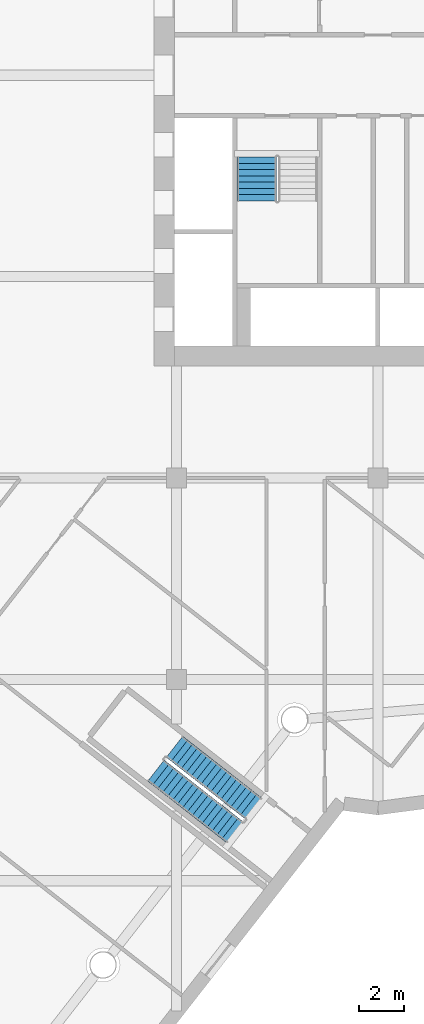
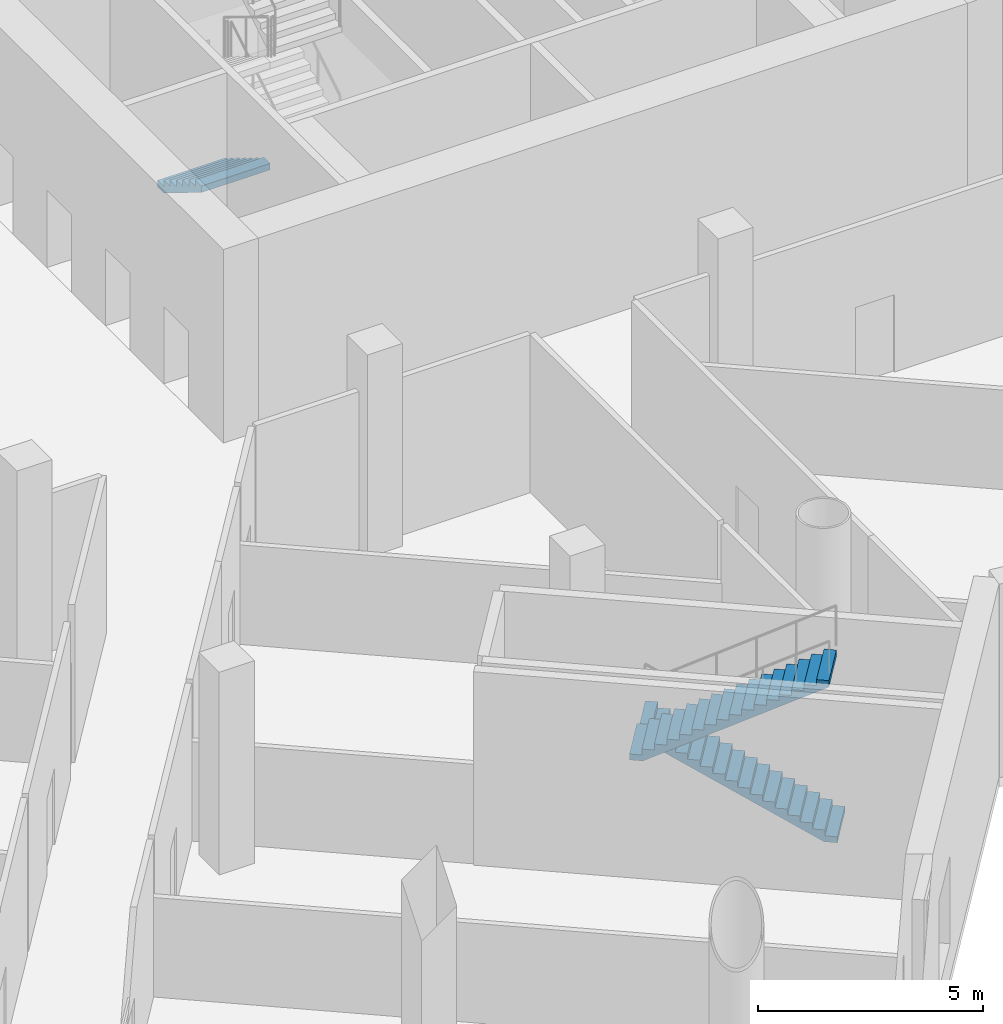
# One storey, part 13 of 23: 3 stair flights, 2 elements without a shape of their own.
"""IFC4 building model written with IfcOpenShell, lengths in metres."""

from ifc_helpers import new_model, si_unit, direction, frame, origin, place, context, subcontext, project, spatial, faceted_brep, material, type_object, element, aggregate, save


model = new_model("IFC4")

# Units and contexts
model_context = context("Model", 3, precision=1e-05, world=origin(), true_north=direction((0.0, 1.0)))
body_context = subcontext(model_context, "Body", "Model", "MODEL_VIEW")
ifc_project = project(units=[si_unit("LENGTHUNIT", "METRE"), si_unit("AREAUNIT", "SQUARE_METRE"), si_unit("VOLUMEUNIT", "CUBIC_METRE"), si_unit("PLANEANGLEUNIT", "RADIAN"), si_unit("MASSUNIT", "GRAM", prefix="KILO")], contexts=[model_context])

# Site, building, storey
site_placement = place(None, origin())
site = spatial("IfcSite", under=ifc_project, at=site_placement, CompositionType="ELEMENT")
building_placement = place(site_placement, origin())
building = spatial("IfcBuilding", under=site, at=building_placement, Name="Tarsis Ring Headquarters", CompositionType="ELEMENT")
storey_placement = place(building_placement, frame((0.0, 0.0, 19.5)))
storey = spatial("IfcBuildingStorey", under=building, at=storey_placement, Name="L03", CompositionType="ELEMENT", Elevation=19.5)

# Stair, stair flight
ifc_material_1 = material(Name="Core stair 1760")
stair_type_1 = type_object("IfcStairType", Name="Core stair 1760", PredefinedType="HALF_TURN_STAIR", material=ifc_material_1)
stair_1_placement = place(storey_placement, origin())
stair_1 = element("IfcStair", 1, at=stair_1_placement, inside=storey, type_object=stair_type_1, Name="L03 Exit stair C", PredefinedType="HALF_TURN_STAIR")
ifc_material_2 = material(Name="Concrete C40/50", Category="concrete")
stair_flight_type_1 = type_object("IfcStairFlightType", Name="Core stair flight 1760", PredefinedType="STRAIGHT", material=ifc_material_2)
stair_flight_1_placement = place(storey_placement, frame((-5.419921875, -3.659912109375, 0.0), z_axis=(0.0, 0.0, 1.0), x_axis=(0.0, -1.0, 0.0)))
stair_flight_1 = element("IfcStairFlight", 2, at=stair_flight_1_placement, type_object=stair_flight_type_1, Name="Stair ST3 flight 1", NumberOfRisers=8, NumberOfTreads=7, PredefinedType="STRAIGHT", RiserHeight=0.171875, TreadLength=0.28, context=body_context, shape_type="Brep", body=[
    faceted_brep([(0.0, 0.8798828125, 0.0), (0.0, 0.8798828125, 0.171875), (0.280029296875, 0.8798828125, 0.171875), (0.280029296875, 0.8798828125, 0.34375), (0.56005859375, 0.8798828125, 0.34375), (0.56005859375, 0.8798828125, 0.515625), (0.840087890625, 0.8798828125, 0.515625), (0.840087890625, 0.8798828125, 0.6875), (1.1201171875, 0.8798828125, 0.6875), (1.1201171875, 0.8798828125, 0.859375), (1.39990234375, 0.8798828125, 0.859375), (1.39990234375, 0.8798828125, 1.03125), (1.679931640625, 0.8798828125, 1.03125), (1.679931640625, 0.8798828125, 1.203125), (1.9599609375, 0.8798828125, 1.203125), (1.9599609375, 0.8798828125, 1.02734375), (0.28662109375, 0.8798828125, 0.0), (0.28662109375, -0.8798828125, 0.0), (1.9599609375, -0.8798828125, 1.02734375), (1.9599609375, -0.8798828125, 1.203125), (1.679931640625, -0.8798828125, 1.203125), (1.679931640625, -0.8798828125, 1.03125), (1.39990234375, -0.8798828125, 1.03125), (1.39990234375, -0.8798828125, 0.859375), (1.1201171875, -0.8798828125, 0.859375), (1.1201171875, -0.8798828125, 0.6875), (0.840087890625, -0.8798828125, 0.6875), (0.840087890625, -0.8798828125, 0.515625), (0.56005859375, -0.8798828125, 0.515625), (0.56005859375, -0.8798828125, 0.34375), (0.280029296875, -0.8798828125, 0.34375), (0.280029296875, -0.8798828125, 0.171875), (0.0, -0.8798828125, 0.171875), (0.0, -0.8798828125, 0.0), (0.0, -0.43994140625, 0.171875), (0.0, -0.43994140625, 0.0), (0.0, 0.0, 0.171875), (0.0, 0.0, 0.0), (0.0, 0.43994140625, 0.171875), (0.0, 0.43994140625, 0.0), (0.280029296875, -0.43994140625, 0.171875), (0.280029296875, 0.0, 0.171875), (0.280029296875, 0.43994140625, 0.171875), (0.280029296875, -0.43994140625, 0.34375), (0.280029296875, 0.0, 0.34375), (0.280029296875, 0.43994140625, 0.34375), (0.56005859375, -0.43994140625, 0.34375), (0.56005859375, 0.0, 0.34375), (0.56005859375, 0.43994140625, 0.34375), (0.56005859375, -0.43994140625, 0.515625), (0.56005859375, 0.0, 0.515625), (0.56005859375, 0.43994140625, 0.515625), (0.840087890625, -0.43994140625, 0.515625), (0.840087890625, 0.0, 0.515625), (0.840087890625, 0.43994140625, 0.515625), (0.840087890625, -0.43994140625, 0.6875), (0.840087890625, 0.0, 0.6875), (0.840087890625, 0.43994140625, 0.6875), (1.1201171875, -0.43994140625, 0.6875), (1.1201171875, 0.0, 0.6875), (1.1201171875, 0.43994140625, 0.6875), (1.1201171875, -0.43994140625, 0.859375), (1.1201171875, 0.0, 0.859375), (1.1201171875, 0.43994140625, 0.859375), (1.39990234375, -0.43994140625, 0.859375), (1.39990234375, 0.0, 0.859375), (1.39990234375, 0.43994140625, 0.859375), (1.39990234375, -0.43994140625, 1.03125), (1.39990234375, 0.0, 1.03125), (1.39990234375, 0.43994140625, 1.03125), (1.679931640625, -0.43994140625, 1.03125), (1.679931640625, 0.0, 1.03125), (1.679931640625, 0.43994140625, 1.03125), (1.679931640625, -0.43994140625, 1.203125), (1.679931640625, 0.0, 1.203125), (1.679931640625, 0.43994140625, 1.203125), (1.9599609375, -0.43994140625, 1.203125), (1.9599609375, 0.0, 1.203125), (1.9599609375, 0.43994140625, 1.203125), (1.9599609375, -0.43994140625, 1.02734375), (1.9599609375, 0.0, 1.02734375), (1.9599609375, 0.43994140625, 1.02734375), (0.28662109375, -0.43994140625, 0.0), (0.28662109375, 0.0, 0.0), (0.28662109375, 0.43994140625, 0.0)], [[[0, 1, 2, 3, 4, 5, 6, 7, 8, 9, 10, 11, 12, 13, 14, 15, 16]], [[17, 18, 19, 20, 21, 22, 23, 24, 25, 26, 27, 28, 29, 30, 31, 32, 33]], [[33, 32, 34, 35]], [[35, 34, 36, 37]], [[37, 36, 38, 39]], [[39, 38, 1, 0]], [[32, 31, 40, 34]], [[34, 40, 41, 36]], [[36, 41, 42, 38]], [[38, 42, 2, 1]], [[31, 30, 43, 40]], [[40, 43, 44, 41]], [[41, 44, 45, 42]], [[42, 45, 3, 2]], [[30, 29, 46, 43]], [[43, 46, 47, 44]], [[44, 47, 48, 45]], [[45, 48, 4, 3]], [[29, 28, 49, 46]], [[46, 49, 50, 47]], [[47, 50, 51, 48]], [[48, 51, 5, 4]], [[28, 27, 52, 49]], [[49, 52, 53, 50]], [[50, 53, 54, 51]], [[51, 54, 6, 5]], [[27, 26, 55, 52]], [[52, 55, 56, 53]], [[53, 56, 57, 54]], [[54, 57, 7, 6]], [[26, 25, 58, 55]], [[55, 58, 59, 56]], [[56, 59, 60, 57]], [[57, 60, 8, 7]], [[25, 24, 61, 58]], [[58, 61, 62, 59]], [[59, 62, 63, 60]], [[60, 63, 9, 8]], [[24, 23, 64, 61]], [[61, 64, 65, 62]], [[62, 65, 66, 63]], [[63, 66, 10, 9]], [[23, 22, 67, 64]], [[64, 67, 68, 65]], [[65, 68, 69, 66]], [[66, 69, 11, 10]], [[22, 21, 70, 67]], [[67, 70, 71, 68]], [[68, 71, 72, 69]], [[69, 72, 12, 11]], [[21, 20, 73, 70]], [[70, 73, 74, 71]], [[71, 74, 75, 72]], [[72, 75, 13, 12]], [[20, 19, 76, 73]], [[73, 76, 77, 74]], [[74, 77, 78, 75]], [[75, 78, 14, 13]], [[19, 18, 79, 76]], [[76, 79, 80, 77]], [[77, 80, 81, 78]], [[78, 81, 15, 14]], [[18, 17, 82, 79]], [[79, 82, 83, 80]], [[80, 83, 84, 81]], [[81, 84, 16, 15]], [[17, 33, 35, 82]], [[82, 35, 37, 83]], [[83, 37, 39, 84]], [[84, 39, 0, 16]]]),
])
aggregate(stair_1, [stair_flight_1])

# Stair, stair flights
stair_type_2 = type_object("IfcStairType", Name="PO-ST", PredefinedType="HALF_TURN_STAIR", material=ifc_material_2)
stair_2_placement = place(storey_placement, origin())
stair_2 = element("IfcStair", 3, at=stair_2_placement, inside=storey, type_object=stair_type_2, Name="L03 Podium stair", PredefinedType="HALF_TURN_STAIR")
stair_flight_type_2 = type_object("IfcStairFlightType", Name="PO-STF", PredefinedType="STRAIGHT", material=ifc_material_2)
stair_flight_2_placement = place(storey_placement, frame((-5.55712890625, -32.768798828125, 0.0), z_axis=(0.0, 0.0, 1.0), x_axis=(-0.788276433435, 0.615321269331, 0.0)))
stair_flight_2 = element("IfcStairFlight", 4, at=stair_flight_2_placement, type_object=stair_flight_type_2, Name="Stair PS2 flight 1", NumberOfRisers=17, NumberOfTreads=16, PredefinedType="STRAIGHT", RiserHeight=0.161764706, TreadLength=0.28, context=body_context, shape_type="Brep", body=[
    faceted_brep([(0.0, 0.60009765625, 0.0), (0.0, 0.60009765625, 0.161865234375), (0.280029296875, 0.60009765625, 0.161865234375), (0.280029296875, 0.60009765625, 0.323486328125), (0.56005859375, 0.60009765625, 0.323486328125), (0.56005859375, 0.60009765625, 0.4853515625), (0.840087890625, 0.60009765625, 0.4853515625), (0.840087890625, 0.60009765625, 0.64697265625), (1.1201171875, 0.60009765625, 0.64697265625), (1.1201171875, 0.60009765625, 0.808837890625), (1.39990234375, 0.60009765625, 0.808837890625), (1.39990234375, 0.60009765625, 0.970703125), (1.679931640625, 0.60009765625, 0.970703125), (1.679931640625, 0.60009765625, 1.13232421875), (1.9599609375, 0.60009765625, 1.13232421875), (1.9599609375, 0.60009765625, 1.294189453125), (2.239990234375, 0.60009765625, 1.294189453125), (2.239990234375, 0.60009765625, 1.455810546875), (2.52001953125, 0.60009765625, 1.455810546875), (2.52001953125, 0.60009765625, 1.61767578125), (2.800048828125, 0.60009765625, 1.61767578125), (2.800048828125, 0.60009765625, 1.779296875), (3.080078125, 0.60009765625, 1.779296875), (3.080078125, 0.60009765625, 1.941162109375), (3.360107421875, 0.60009765625, 1.941162109375), (3.360107421875, 0.60009765625, 2.10302734375), (3.639892578125, 0.60009765625, 2.10302734375), (3.639892578125, 0.60009765625, 2.2646484375), (3.919921875, 0.60009765625, 2.2646484375), (3.919921875, 0.60009765625, 2.426513671875), (4.199951171875, 0.60009765625, 2.426513671875), (4.199951171875, 0.60009765625, 2.588134765625), (4.47998046875, 0.60009765625, 2.588134765625), (4.47998046875, 0.60009765625, 2.4150390625), (0.299560546875, 0.60009765625, 0.0), (0.299560546875, -0.60009765625, 0.0), (4.47998046875, -0.60009765625, 2.4150390625), (4.47998046875, -0.60009765625, 2.588134765625), (4.199951171875, -0.60009765625, 2.588134765625), (4.199951171875, -0.60009765625, 2.426513671875), (3.919921875, -0.60009765625, 2.426513671875), (3.919921875, -0.60009765625, 2.2646484375), (3.639892578125, -0.60009765625, 2.2646484375), (3.639892578125, -0.60009765625, 2.10302734375), (3.360107421875, -0.60009765625, 2.10302734375), (3.360107421875, -0.60009765625, 1.941162109375), (3.080078125, -0.60009765625, 1.941162109375), (3.080078125, -0.60009765625, 1.779296875), (2.800048828125, -0.60009765625, 1.779296875), (2.800048828125, -0.60009765625, 1.61767578125), (2.52001953125, -0.60009765625, 1.61767578125), (2.52001953125, -0.60009765625, 1.455810546875), (2.239990234375, -0.60009765625, 1.455810546875), (2.239990234375, -0.60009765625, 1.294189453125), (1.9599609375, -0.60009765625, 1.294189453125), (1.9599609375, -0.60009765625, 1.13232421875), (1.679931640625, -0.60009765625, 1.13232421875), (1.679931640625, -0.60009765625, 0.970703125), (1.39990234375, -0.60009765625, 0.970703125), (1.39990234375, -0.60009765625, 0.808837890625), (1.1201171875, -0.60009765625, 0.808837890625), (1.1201171875, -0.60009765625, 0.64697265625), (0.840087890625, -0.60009765625, 0.64697265625), (0.840087890625, -0.60009765625, 0.4853515625), (0.56005859375, -0.60009765625, 0.4853515625), (0.56005859375, -0.60009765625, 0.323486328125), (0.280029296875, -0.60009765625, 0.323486328125), (0.280029296875, -0.60009765625, 0.161865234375), (0.0, -0.60009765625, 0.161865234375), (0.0, -0.60009765625, 0.0), (0.0, -0.300048828125, 0.161865234375), (0.0, -0.300048828125, 0.0), (0.0, 0.0, 0.161865234375), (0.0, 0.0, 0.0), (0.0, 0.300048828125, 0.161865234375), (0.0, 0.300048828125, 0.0), (0.280029296875, -0.300048828125, 0.161865234375), (0.280029296875, 0.0, 0.161865234375), (0.280029296875, 0.300048828125, 0.161865234375), (0.280029296875, -0.300048828125, 0.323486328125), (0.280029296875, 0.0, 0.323486328125), (0.280029296875, 0.300048828125, 0.323486328125), (0.56005859375, -0.300048828125, 0.323486328125), (0.56005859375, 0.0, 0.323486328125), (0.56005859375, 0.300048828125, 0.323486328125), (0.56005859375, -0.300048828125, 0.4853515625), (0.56005859375, 0.0, 0.4853515625), (0.56005859375, 0.300048828125, 0.4853515625), (0.840087890625, -0.300048828125, 0.4853515625), (0.840087890625, 0.0, 0.4853515625), (0.840087890625, 0.300048828125, 0.4853515625), (0.840087890625, -0.300048828125, 0.64697265625), (0.840087890625, 0.0, 0.64697265625), (0.840087890625, 0.300048828125, 0.64697265625), (1.1201171875, -0.300048828125, 0.64697265625), (1.1201171875, 0.0, 0.64697265625), (1.1201171875, 0.300048828125, 0.64697265625), (1.1201171875, -0.300048828125, 0.808837890625), (1.1201171875, 0.0, 0.808837890625), (1.1201171875, 0.300048828125, 0.808837890625), (1.39990234375, -0.300048828125, 0.808837890625), (1.39990234375, 0.0, 0.808837890625), (1.39990234375, 0.300048828125, 0.808837890625), (1.39990234375, -0.300048828125, 0.970703125), (1.39990234375, 0.0, 0.970703125), (1.39990234375, 0.300048828125, 0.970703125), (1.679931640625, -0.300048828125, 0.970703125), (1.679931640625, 0.0, 0.970703125), (1.679931640625, 0.300048828125, 0.970703125), (1.679931640625, -0.300048828125, 1.13232421875), (1.679931640625, 0.0, 1.13232421875), (1.679931640625, 0.300048828125, 1.13232421875), (1.9599609375, -0.300048828125, 1.13232421875), (1.9599609375, 0.0, 1.13232421875), (1.9599609375, 0.300048828125, 1.13232421875), (1.9599609375, -0.300048828125, 1.294189453125), (1.9599609375, 0.0, 1.294189453125), (1.9599609375, 0.300048828125, 1.294189453125), (2.239990234375, -0.300048828125, 1.294189453125), (2.239990234375, 0.0, 1.294189453125), (2.239990234375, 0.300048828125, 1.294189453125), (2.239990234375, -0.300048828125, 1.455810546875), (2.239990234375, 0.0, 1.455810546875), (2.239990234375, 0.300048828125, 1.455810546875), (2.52001953125, -0.300048828125, 1.455810546875), (2.52001953125, 0.0, 1.455810546875), (2.52001953125, 0.300048828125, 1.455810546875), (2.52001953125, -0.300048828125, 1.61767578125), (2.52001953125, 0.0, 1.61767578125), (2.52001953125, 0.300048828125, 1.61767578125), (2.800048828125, -0.300048828125, 1.61767578125), (2.800048828125, 0.0, 1.61767578125), (2.800048828125, 0.300048828125, 1.61767578125), (2.800048828125, -0.300048828125, 1.779296875), (2.800048828125, 0.0, 1.779296875), (2.800048828125, 0.300048828125, 1.779296875), (3.080078125, -0.300048828125, 1.779296875), (3.080078125, 0.0, 1.779296875), (3.080078125, 0.300048828125, 1.779296875), (3.080078125, -0.300048828125, 1.941162109375), (3.080078125, 0.0, 1.941162109375), (3.080078125, 0.300048828125, 1.941162109375), (3.360107421875, -0.300048828125, 1.941162109375), (3.360107421875, 0.0, 1.941162109375), (3.360107421875, 0.300048828125, 1.941162109375), (3.360107421875, -0.300048828125, 2.10302734375), (3.360107421875, 0.0, 2.10302734375), (3.360107421875, 0.300048828125, 2.10302734375), (3.639892578125, -0.300048828125, 2.10302734375), (3.639892578125, 0.0, 2.10302734375), (3.639892578125, 0.300048828125, 2.10302734375), (3.639892578125, -0.300048828125, 2.2646484375), (3.639892578125, 0.0, 2.2646484375), (3.639892578125, 0.300048828125, 2.2646484375), (3.919921875, -0.300048828125, 2.2646484375), (3.919921875, 0.0, 2.2646484375), (3.919921875, 0.300048828125, 2.2646484375), (3.919921875, -0.300048828125, 2.426513671875), (3.919921875, 0.0, 2.426513671875), (3.919921875, 0.300048828125, 2.426513671875), (4.199951171875, -0.300048828125, 2.426513671875), (4.199951171875, 0.0, 2.426513671875), (4.199951171875, 0.300048828125, 2.426513671875), (4.199951171875, -0.300048828125, 2.588134765625), (4.199951171875, 0.0, 2.588134765625), (4.199951171875, 0.300048828125, 2.588134765625), (4.47998046875, -0.300048828125, 2.588134765625), (4.47998046875, 0.0, 2.588134765625), (4.47998046875, 0.300048828125, 2.588134765625), (4.47998046875, -0.300048828125, 2.4150390625), (4.47998046875, 0.0, 2.4150390625), (4.47998046875, 0.300048828125, 2.4150390625), (0.299560546875, -0.300048828125, 0.0), (0.299560546875, 0.0, 0.0), (0.299560546875, 0.300048828125, 0.0)], [[[0, 1, 2, 3, 4, 5, 6, 7, 8, 9, 10, 11, 12, 13, 14, 15, 16, 17, 18, 19, 20, 21, 22, 23, 24, 25, 26, 27, 28, 29, 30, 31, 32, 33, 34]], [[35, 36, 37, 38, 39, 40, 41, 42, 43, 44, 45, 46, 47, 48, 49, 50, 51, 52, 53, 54, 55, 56, 57, 58, 59, 60, 61, 62, 63, 64, 65, 66, 67, 68, 69]], [[69, 68, 70, 71]], [[71, 70, 72, 73]], [[73, 72, 74, 75]], [[75, 74, 1, 0]], [[68, 67, 76, 70]], [[70, 76, 77, 72]], [[72, 77, 78, 74]], [[74, 78, 2, 1]], [[67, 66, 79, 76]], [[76, 79, 80, 77]], [[77, 80, 81, 78]], [[78, 81, 3, 2]], [[66, 65, 82, 79]], [[79, 82, 83, 80]], [[80, 83, 84, 81]], [[81, 84, 4, 3]], [[65, 64, 85, 82]], [[82, 85, 86, 83]], [[83, 86, 87, 84]], [[84, 87, 5, 4]], [[64, 63, 88, 85]], [[85, 88, 89, 86]], [[86, 89, 90, 87]], [[87, 90, 6, 5]], [[63, 62, 91, 88]], [[88, 91, 92, 89]], [[89, 92, 93, 90]], [[90, 93, 7, 6]], [[62, 61, 94, 91]], [[91, 94, 95, 92]], [[92, 95, 96, 93]], [[93, 96, 8, 7]], [[61, 60, 97, 94]], [[94, 97, 98, 95]], [[95, 98, 99, 96]], [[96, 99, 9, 8]], [[60, 59, 100, 97]], [[97, 100, 101, 98]], [[98, 101, 102, 99]], [[99, 102, 10, 9]], [[59, 58, 103, 100]], [[100, 103, 104, 101]], [[101, 104, 105, 102]], [[102, 105, 11, 10]], [[58, 57, 106, 103]], [[103, 106, 107, 104]], [[104, 107, 108, 105]], [[105, 108, 12, 11]], [[57, 56, 109, 106]], [[106, 109, 110, 107]], [[107, 110, 111, 108]], [[108, 111, 13, 12]], [[56, 55, 112, 109]], [[109, 112, 113, 110]], [[110, 113, 114, 111]], [[111, 114, 14, 13]], [[55, 54, 115, 112]], [[112, 115, 116, 113]], [[113, 116, 117, 114]], [[114, 117, 15, 14]], [[54, 53, 118, 115]], [[115, 118, 119, 116]], [[116, 119, 120, 117]], [[117, 120, 16, 15]], [[53, 52, 121, 118]], [[118, 121, 122, 119]], [[119, 122, 123, 120]], [[120, 123, 17, 16]], [[52, 51, 124, 121]], [[121, 124, 125, 122]], [[122, 125, 126, 123]], [[123, 126, 18, 17]], [[51, 50, 127, 124]], [[124, 127, 128, 125]], [[125, 128, 129, 126]], [[126, 129, 19, 18]], [[50, 49, 130, 127]], [[127, 130, 131, 128]], [[128, 131, 132, 129]], [[129, 132, 20, 19]], [[49, 48, 133, 130]], [[130, 133, 134, 131]], [[131, 134, 135, 132]], [[132, 135, 21, 20]], [[48, 47, 136, 133]], [[133, 136, 137, 134]], [[134, 137, 138, 135]], [[135, 138, 22, 21]], [[47, 46, 139, 136]], [[136, 139, 140, 137]], [[137, 140, 141, 138]], [[138, 141, 23, 22]], [[46, 45, 142, 139]], [[139, 142, 143, 140]], [[140, 143, 144, 141]], [[141, 144, 24, 23]], [[45, 44, 145, 142]], [[142, 145, 146, 143]], [[143, 146, 147, 144]], [[144, 147, 25, 24]], [[44, 43, 148, 145]], [[145, 148, 149, 146]], [[146, 149, 150, 147]], [[147, 150, 26, 25]], [[43, 42, 151, 148]], [[148, 151, 152, 149]], [[149, 152, 153, 150]], [[150, 153, 27, 26]], [[42, 41, 154, 151]], [[151, 154, 155, 152]], [[152, 155, 156, 153]], [[153, 156, 28, 27]], [[41, 40, 157, 154]], [[154, 157, 158, 155]], [[155, 158, 159, 156]], [[156, 159, 29, 28]], [[40, 39, 160, 157]], [[157, 160, 161, 158]], [[158, 161, 162, 159]], [[159, 162, 30, 29]], [[39, 38, 163, 160]], [[160, 163, 164, 161]], [[161, 164, 165, 162]], [[162, 165, 31, 30]], [[38, 37, 166, 163]], [[163, 166, 167, 164]], [[164, 167, 168, 165]], [[165, 168, 32, 31]], [[37, 36, 169, 166]], [[166, 169, 170, 167]], [[167, 170, 171, 168]], [[168, 171, 33, 32]], [[36, 35, 172, 169]], [[169, 172, 173, 170]], [[170, 173, 174, 171]], [[171, 174, 34, 33]], [[35, 69, 71, 172]], [[172, 71, 73, 173]], [[173, 73, 75, 174]], [[174, 75, 0, 34]]]),
])
stair_flight_3_placement = place(storey_placement, frame((-9.919189453125, -31.076416015625, 2.75), z_axis=(0.0, 0.0, 1.0), x_axis=(0.788276433435, -0.615321269331, 0.0)))
stair_flight_3 = element("IfcStairFlight", 5, at=stair_flight_3_placement, type_object=stair_flight_type_2, Name="Stair PS2 flight 2", NumberOfRisers=17, NumberOfTreads=16, PredefinedType="STRAIGHT", RiserHeight=0.161764706, TreadLength=0.28, context=body_context, shape_type="Brep", body=[
    faceted_brep([(0.0, 0.60009765625, 0.0), (0.0, 0.60009765625, 0.161865234375), (0.280029296875, 0.60009765625, 0.161865234375), (0.280029296875, 0.60009765625, 0.323486328125), (0.56005859375, 0.60009765625, 0.323486328125), (0.56005859375, 0.60009765625, 0.4853515625), (0.840087890625, 0.60009765625, 0.4853515625), (0.840087890625, 0.60009765625, 0.64697265625), (1.1201171875, 0.60009765625, 0.64697265625), (1.1201171875, 0.60009765625, 0.808837890625), (1.39990234375, 0.60009765625, 0.808837890625), (1.39990234375, 0.60009765625, 0.970703125), (1.679931640625, 0.60009765625, 0.970703125), (1.679931640625, 0.60009765625, 1.13232421875), (1.9599609375, 0.60009765625, 1.13232421875), (1.9599609375, 0.60009765625, 1.294189453125), (2.239990234375, 0.60009765625, 1.294189453125), (2.239990234375, 0.60009765625, 1.455810546875), (2.52001953125, 0.60009765625, 1.455810546875), (2.52001953125, 0.60009765625, 1.61767578125), (2.800048828125, 0.60009765625, 1.61767578125), (2.800048828125, 0.60009765625, 1.779296875), (3.080078125, 0.60009765625, 1.779296875), (3.080078125, 0.60009765625, 1.941162109375), (3.360107421875, 0.60009765625, 1.941162109375), (3.360107421875, 0.60009765625, 2.10302734375), (3.639892578125, 0.60009765625, 2.10302734375), (3.639892578125, 0.60009765625, 2.2646484375), (3.919921875, 0.60009765625, 2.2646484375), (3.919921875, 0.60009765625, 2.426513671875), (4.199951171875, 0.60009765625, 2.426513671875), (4.199951171875, 0.60009765625, 2.588134765625), (4.47998046875, 0.60009765625, 2.588134765625), (4.47998046875, 0.60009765625, 2.4150390625), (0.299560546875, 0.60009765625, 0.0), (0.299560546875, -0.60009765625, 0.0), (4.47998046875, -0.60009765625, 2.4150390625), (4.47998046875, -0.60009765625, 2.588134765625), (4.199951171875, -0.60009765625, 2.588134765625), (4.199951171875, -0.60009765625, 2.426513671875), (3.919921875, -0.60009765625, 2.426513671875), (3.919921875, -0.60009765625, 2.2646484375), (3.639892578125, -0.60009765625, 2.2646484375), (3.639892578125, -0.60009765625, 2.10302734375), (3.360107421875, -0.60009765625, 2.10302734375), (3.360107421875, -0.60009765625, 1.941162109375), (3.080078125, -0.60009765625, 1.941162109375), (3.080078125, -0.60009765625, 1.779296875), (2.800048828125, -0.60009765625, 1.779296875), (2.800048828125, -0.60009765625, 1.61767578125), (2.52001953125, -0.60009765625, 1.61767578125), (2.52001953125, -0.60009765625, 1.455810546875), (2.239990234375, -0.60009765625, 1.455810546875), (2.239990234375, -0.60009765625, 1.294189453125), (1.9599609375, -0.60009765625, 1.294189453125), (1.9599609375, -0.60009765625, 1.13232421875), (1.679931640625, -0.60009765625, 1.13232421875), (1.679931640625, -0.60009765625, 0.970703125), (1.39990234375, -0.60009765625, 0.970703125), (1.39990234375, -0.60009765625, 0.808837890625), (1.1201171875, -0.60009765625, 0.808837890625), (1.1201171875, -0.60009765625, 0.64697265625), (0.840087890625, -0.60009765625, 0.64697265625), (0.840087890625, -0.60009765625, 0.4853515625), (0.56005859375, -0.60009765625, 0.4853515625), (0.56005859375, -0.60009765625, 0.323486328125), (0.280029296875, -0.60009765625, 0.323486328125), (0.280029296875, -0.60009765625, 0.161865234375), (0.0, -0.60009765625, 0.161865234375), (0.0, -0.60009765625, 0.0), (0.0, -0.300048828125, 0.161865234375), (0.0, -0.300048828125, 0.0), (0.0, 0.0, 0.161865234375), (0.0, 0.0, 0.0), (0.0, 0.300048828125, 0.161865234375), (0.0, 0.300048828125, 0.0), (0.280029296875, -0.300048828125, 0.161865234375), (0.280029296875, 0.0, 0.161865234375), (0.280029296875, 0.300048828125, 0.161865234375), (0.280029296875, -0.300048828125, 0.323486328125), (0.280029296875, 0.0, 0.323486328125), (0.280029296875, 0.300048828125, 0.323486328125), (0.56005859375, -0.300048828125, 0.323486328125), (0.56005859375, 0.0, 0.323486328125), (0.56005859375, 0.300048828125, 0.323486328125), (0.56005859375, -0.300048828125, 0.4853515625), (0.56005859375, 0.0, 0.4853515625), (0.56005859375, 0.300048828125, 0.4853515625), (0.840087890625, -0.300048828125, 0.4853515625), (0.840087890625, 0.0, 0.4853515625), (0.840087890625, 0.300048828125, 0.4853515625), (0.840087890625, -0.300048828125, 0.64697265625), (0.840087890625, 0.0, 0.64697265625), (0.840087890625, 0.300048828125, 0.64697265625), (1.1201171875, -0.300048828125, 0.64697265625), (1.1201171875, 0.0, 0.64697265625), (1.1201171875, 0.300048828125, 0.64697265625), (1.1201171875, -0.300048828125, 0.808837890625), (1.1201171875, 0.0, 0.808837890625), (1.1201171875, 0.300048828125, 0.808837890625), (1.39990234375, -0.300048828125, 0.808837890625), (1.39990234375, 0.0, 0.808837890625), (1.39990234375, 0.300048828125, 0.808837890625), (1.39990234375, -0.300048828125, 0.970703125), (1.39990234375, 0.0, 0.970703125), (1.39990234375, 0.300048828125, 0.970703125), (1.679931640625, -0.300048828125, 0.970703125), (1.679931640625, 0.0, 0.970703125), (1.679931640625, 0.300048828125, 0.970703125), (1.679931640625, -0.300048828125, 1.13232421875), (1.679931640625, 0.0, 1.13232421875), (1.679931640625, 0.300048828125, 1.13232421875), (1.9599609375, -0.300048828125, 1.13232421875), (1.9599609375, 0.0, 1.13232421875), (1.9599609375, 0.300048828125, 1.13232421875), (1.9599609375, -0.300048828125, 1.294189453125), (1.9599609375, 0.0, 1.294189453125), (1.9599609375, 0.300048828125, 1.294189453125), (2.239990234375, -0.300048828125, 1.294189453125), (2.239990234375, 0.0, 1.294189453125), (2.239990234375, 0.300048828125, 1.294189453125), (2.239990234375, -0.300048828125, 1.455810546875), (2.239990234375, 0.0, 1.455810546875), (2.239990234375, 0.300048828125, 1.455810546875), (2.52001953125, -0.300048828125, 1.455810546875), (2.52001953125, 0.0, 1.455810546875), (2.52001953125, 0.300048828125, 1.455810546875), (2.52001953125, -0.300048828125, 1.61767578125), (2.52001953125, 0.0, 1.61767578125), (2.52001953125, 0.300048828125, 1.61767578125), (2.800048828125, -0.300048828125, 1.61767578125), (2.800048828125, 0.0, 1.61767578125), (2.800048828125, 0.300048828125, 1.61767578125), (2.800048828125, -0.300048828125, 1.779296875), (2.800048828125, 0.0, 1.779296875), (2.800048828125, 0.300048828125, 1.779296875), (3.080078125, -0.300048828125, 1.779296875), (3.080078125, 0.0, 1.779296875), (3.080078125, 0.300048828125, 1.779296875), (3.080078125, -0.300048828125, 1.941162109375), (3.080078125, 0.0, 1.941162109375), (3.080078125, 0.300048828125, 1.941162109375), (3.360107421875, -0.300048828125, 1.941162109375), (3.360107421875, 0.0, 1.941162109375), (3.360107421875, 0.300048828125, 1.941162109375), (3.360107421875, -0.300048828125, 2.10302734375), (3.360107421875, 0.0, 2.10302734375), (3.360107421875, 0.300048828125, 2.10302734375), (3.639892578125, -0.300048828125, 2.10302734375), (3.639892578125, 0.0, 2.10302734375), (3.639892578125, 0.300048828125, 2.10302734375), (3.639892578125, -0.300048828125, 2.2646484375), (3.639892578125, 0.0, 2.2646484375), (3.639892578125, 0.300048828125, 2.2646484375), (3.919921875, -0.300048828125, 2.2646484375), (3.919921875, 0.0, 2.2646484375), (3.919921875, 0.300048828125, 2.2646484375), (3.919921875, -0.300048828125, 2.426513671875), (3.919921875, 0.0, 2.426513671875), (3.919921875, 0.300048828125, 2.426513671875), (4.199951171875, -0.300048828125, 2.426513671875), (4.199951171875, 0.0, 2.426513671875), (4.199951171875, 0.300048828125, 2.426513671875), (4.199951171875, -0.300048828125, 2.588134765625), (4.199951171875, 0.0, 2.588134765625), (4.199951171875, 0.300048828125, 2.588134765625), (4.47998046875, -0.300048828125, 2.588134765625), (4.47998046875, 0.0, 2.588134765625), (4.47998046875, 0.300048828125, 2.588134765625), (4.47998046875, -0.300048828125, 2.4150390625), (4.47998046875, 0.0, 2.4150390625), (4.47998046875, 0.300048828125, 2.4150390625), (0.299560546875, -0.300048828125, 0.0), (0.299560546875, 0.0, 0.0), (0.299560546875, 0.300048828125, 0.0)], [[[0, 1, 2, 3, 4, 5, 6, 7, 8, 9, 10, 11, 12, 13, 14, 15, 16, 17, 18, 19, 20, 21, 22, 23, 24, 25, 26, 27, 28, 29, 30, 31, 32, 33, 34]], [[35, 36, 37, 38, 39, 40, 41, 42, 43, 44, 45, 46, 47, 48, 49, 50, 51, 52, 53, 54, 55, 56, 57, 58, 59, 60, 61, 62, 63, 64, 65, 66, 67, 68, 69]], [[69, 68, 70, 71]], [[71, 70, 72, 73]], [[73, 72, 74, 75]], [[75, 74, 1, 0]], [[68, 67, 76, 70]], [[70, 76, 77, 72]], [[72, 77, 78, 74]], [[74, 78, 2, 1]], [[67, 66, 79, 76]], [[76, 79, 80, 77]], [[77, 80, 81, 78]], [[78, 81, 3, 2]], [[66, 65, 82, 79]], [[79, 82, 83, 80]], [[80, 83, 84, 81]], [[81, 84, 4, 3]], [[65, 64, 85, 82]], [[82, 85, 86, 83]], [[83, 86, 87, 84]], [[84, 87, 5, 4]], [[64, 63, 88, 85]], [[85, 88, 89, 86]], [[86, 89, 90, 87]], [[87, 90, 6, 5]], [[63, 62, 91, 88]], [[88, 91, 92, 89]], [[89, 92, 93, 90]], [[90, 93, 7, 6]], [[62, 61, 94, 91]], [[91, 94, 95, 92]], [[92, 95, 96, 93]], [[93, 96, 8, 7]], [[61, 60, 97, 94]], [[94, 97, 98, 95]], [[95, 98, 99, 96]], [[96, 99, 9, 8]], [[60, 59, 100, 97]], [[97, 100, 101, 98]], [[98, 101, 102, 99]], [[99, 102, 10, 9]], [[59, 58, 103, 100]], [[100, 103, 104, 101]], [[101, 104, 105, 102]], [[102, 105, 11, 10]], [[58, 57, 106, 103]], [[103, 106, 107, 104]], [[104, 107, 108, 105]], [[105, 108, 12, 11]], [[57, 56, 109, 106]], [[106, 109, 110, 107]], [[107, 110, 111, 108]], [[108, 111, 13, 12]], [[56, 55, 112, 109]], [[109, 112, 113, 110]], [[110, 113, 114, 111]], [[111, 114, 14, 13]], [[55, 54, 115, 112]], [[112, 115, 116, 113]], [[113, 116, 117, 114]], [[114, 117, 15, 14]], [[54, 53, 118, 115]], [[115, 118, 119, 116]], [[116, 119, 120, 117]], [[117, 120, 16, 15]], [[53, 52, 121, 118]], [[118, 121, 122, 119]], [[119, 122, 123, 120]], [[120, 123, 17, 16]], [[52, 51, 124, 121]], [[121, 124, 125, 122]], [[122, 125, 126, 123]], [[123, 126, 18, 17]], [[51, 50, 127, 124]], [[124, 127, 128, 125]], [[125, 128, 129, 126]], [[126, 129, 19, 18]], [[50, 49, 130, 127]], [[127, 130, 131, 128]], [[128, 131, 132, 129]], [[129, 132, 20, 19]], [[49, 48, 133, 130]], [[130, 133, 134, 131]], [[131, 134, 135, 132]], [[132, 135, 21, 20]], [[48, 47, 136, 133]], [[133, 136, 137, 134]], [[134, 137, 138, 135]], [[135, 138, 22, 21]], [[47, 46, 139, 136]], [[136, 139, 140, 137]], [[137, 140, 141, 138]], [[138, 141, 23, 22]], [[46, 45, 142, 139]], [[139, 142, 143, 140]], [[140, 143, 144, 141]], [[141, 144, 24, 23]], [[45, 44, 145, 142]], [[142, 145, 146, 143]], [[143, 146, 147, 144]], [[144, 147, 25, 24]], [[44, 43, 148, 145]], [[145, 148, 149, 146]], [[146, 149, 150, 147]], [[147, 150, 26, 25]], [[43, 42, 151, 148]], [[148, 151, 152, 149]], [[149, 152, 153, 150]], [[150, 153, 27, 26]], [[42, 41, 154, 151]], [[151, 154, 155, 152]], [[152, 155, 156, 153]], [[153, 156, 28, 27]], [[41, 40, 157, 154]], [[154, 157, 158, 155]], [[155, 158, 159, 156]], [[156, 159, 29, 28]], [[40, 39, 160, 157]], [[157, 160, 161, 158]], [[158, 161, 162, 159]], [[159, 162, 30, 29]], [[39, 38, 163, 160]], [[160, 163, 164, 161]], [[161, 164, 165, 162]], [[162, 165, 31, 30]], [[38, 37, 166, 163]], [[163, 166, 167, 164]], [[164, 167, 168, 165]], [[165, 168, 32, 31]], [[37, 36, 169, 166]], [[166, 169, 170, 167]], [[167, 170, 171, 168]], [[168, 171, 33, 32]], [[36, 35, 172, 169]], [[169, 172, 173, 170]], [[170, 173, 174, 171]], [[171, 174, 34, 33]], [[35, 69, 71, 172]], [[172, 71, 73, 173]], [[173, 73, 75, 174]], [[174, 75, 0, 34]]]),
])
aggregate(stair_2, [stair_flight_2, stair_flight_3])

save(model, "model.ifc")
